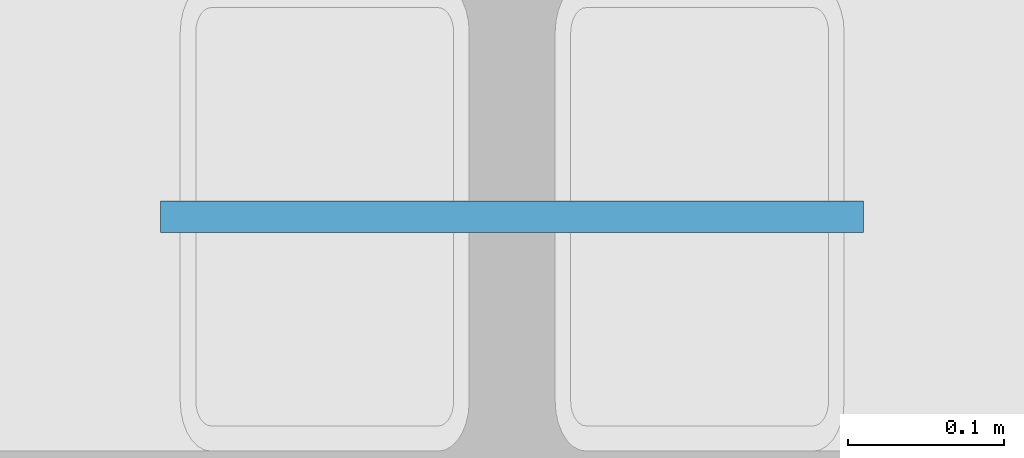
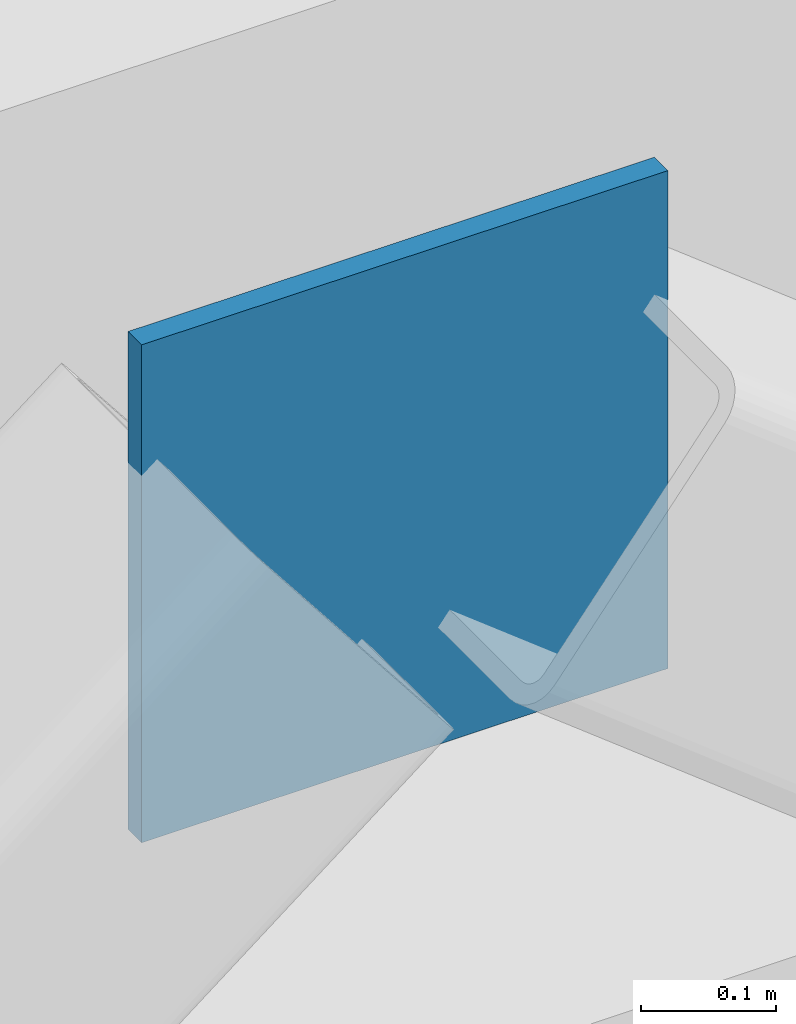
# One storey, part 75 of 100: 1 plate.
"""IFC4 building model written with IfcOpenShell, lengths in metres."""

from ifc_helpers import new_model, si_unit, direction, frame, origin, origin_2d, place, context, subcontext, project, spatial, rectangle, extrude, material, layer, layer_set, type_object, element, save


model = new_model("IFC4")

# Units and contexts
model_context = context("Model", 3, precision=1e-05, world=origin(), true_north=direction((0.0, 1.0)))
body_context = subcontext(model_context, "Body", "Model", "MODEL_VIEW")
ifc_project = project(units=[si_unit("LENGTHUNIT", "METRE"), si_unit("AREAUNIT", "SQUARE_METRE"), si_unit("VOLUMEUNIT", "CUBIC_METRE"), si_unit("PLANEANGLEUNIT", "RADIAN"), si_unit("MASSUNIT", "GRAM", prefix="KILO")], contexts=[model_context])

# Site, building, storey
site_placement = place(None, origin())
site = spatial("IfcSite", under=ifc_project, at=site_placement, CompositionType="ELEMENT")
building_placement = place(site_placement, origin())
building = spatial("IfcBuilding", under=site, at=building_placement, Name="Tasgan Crest Museum", CompositionType="ELEMENT")
storey_placement = place(building_placement, frame((0.0, 0.0, 9.60009765625)))
storey = spatial("IfcBuildingStorey", under=building, at=storey_placement, Name="L02", CompositionType="ELEMENT", Elevation=9.60009765625)

# Plate
ifc_material = material(Name="Steel S355K2", Category="steel")
ifc_layer = layer(ifc_material, 0.02001953125, Name="PL-GUSSET-450")
ifc_layer_set = layer_set([ifc_layer], Name="Steel S355K2")
plate_type = type_object("IfcPlateType", Name="PL-GUSSET-450", PredefinedType="USERDEFINED", material=ifc_layer_set)
plate_placement = place(storey_placement, frame((124.199951171875, 62.0, 4.02490234375), z_axis=(0.0, 0.0, 1.0), x_axis=(1.0, 0.0, 0.0)))
element("IfcPlate", 1, at=plate_placement, inside=storey, type_object=plate_type, Name="Chevron gusset plate L02 G 124.2", ObjectType="GUSSET PLATE", PredefinedType="USERDEFINED", context=body_context, shape_type="SweptSolid", body=[
    extrude(rectangle(XDim=0.449951171875, YDim=0.02001953125, at=origin_2d()), origin(), (0.0, 0.0, 1.0), 0.449951171875),
])

save(model, "model.ifc")
